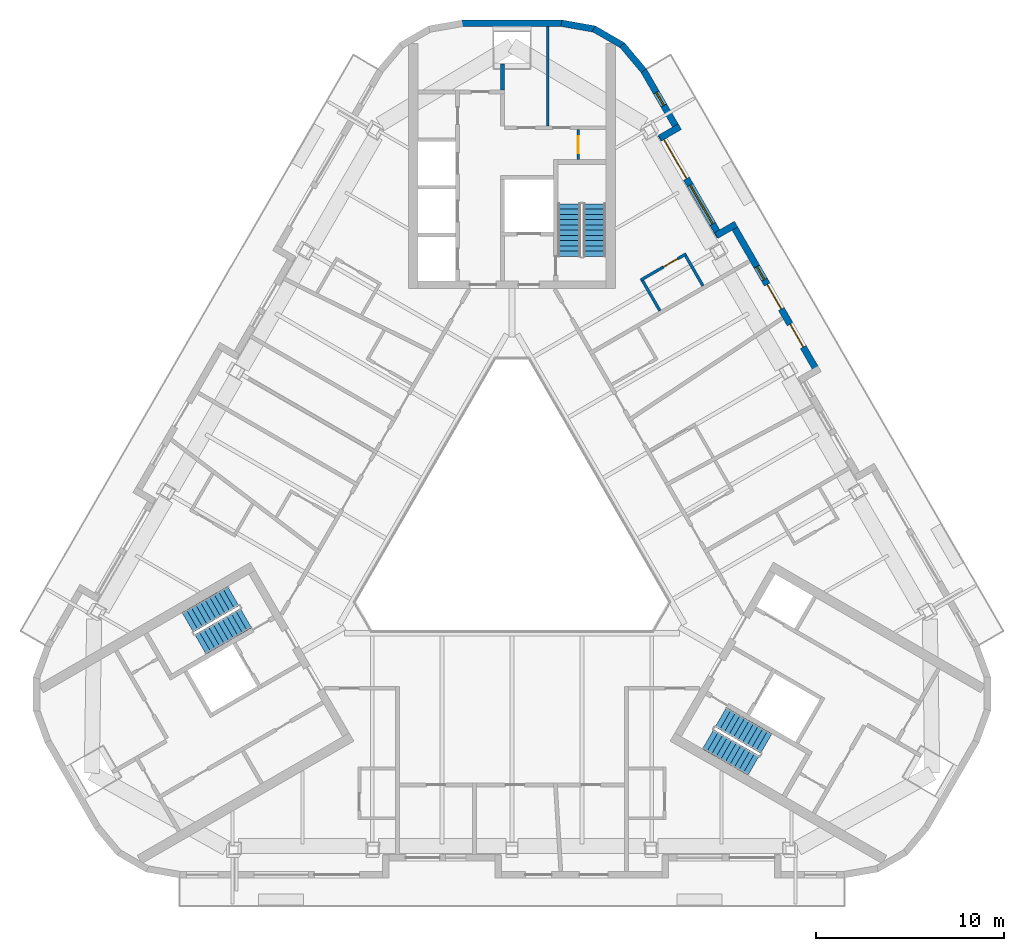
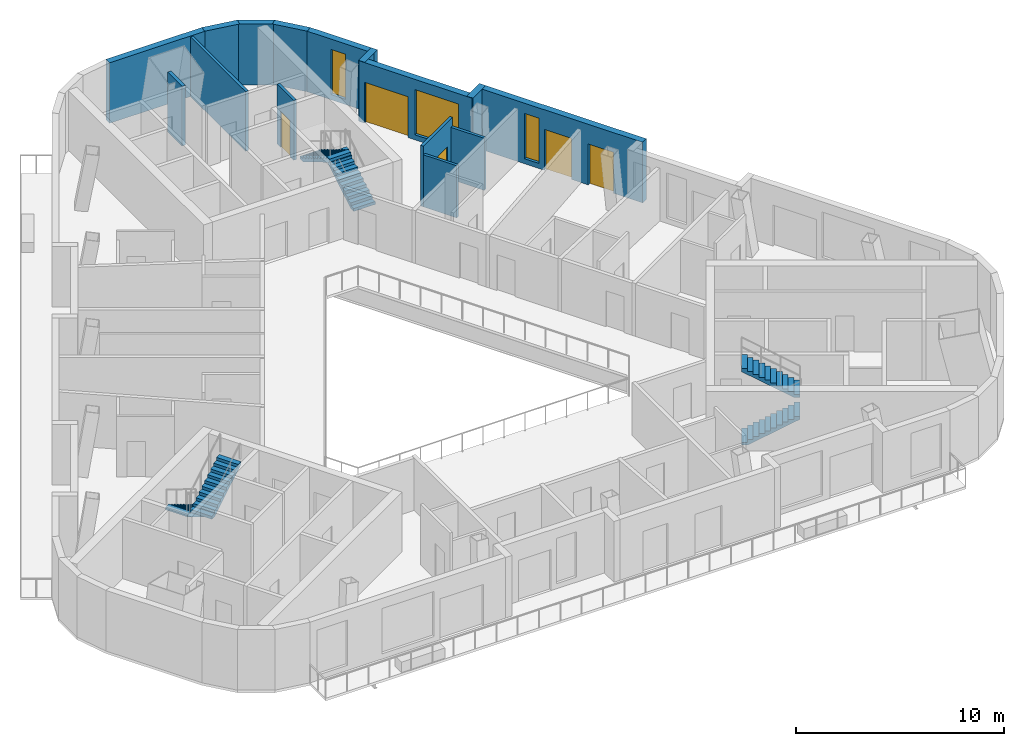
# One storey, part 8 of 13: 15 walls, 6 stair flights, 5 doors, 3 windows, 8 openings, 3 elements without a shape of their own.
"""IFC4 building model written with IfcOpenShell, lengths in metres."""

from ifc_helpers import new_model, si_unit, direction, frame, frame_2d, origin, place, context, subcontext, project, spatial, polyline, rectangle, outline, extrude, material, layer, layer_set, type_object, element, fill, aggregate, save


model = new_model("IFC4")

# Units and contexts
model_context = context("Model", 3, precision=1e-05, world=origin(), true_north=direction((0.0, 1.0)))
body_context = subcontext(model_context, "Body", "Model", "MODEL_VIEW")
ifc_project = project(units=[si_unit("LENGTHUNIT", "METRE"), si_unit("AREAUNIT", "SQUARE_METRE"), si_unit("VOLUMEUNIT", "CUBIC_METRE"), si_unit("PLANEANGLEUNIT", "RADIAN"), si_unit("MASSUNIT", "GRAM", prefix="KILO")], contexts=[model_context])

# Site, building, storey
site_placement = place(None, origin())
site = spatial("IfcSite", under=ifc_project, at=site_placement, CompositionType="ELEMENT")
building_placement = place(site_placement, origin())
building = spatial("IfcBuilding", under=site, at=building_placement, Name="Apuvela Tower Hotel", CompositionType="ELEMENT")
storey_placement = place(building_placement, frame((0.0, 0.0, 276.300048828125)))
storey = spatial("IfcBuildingStorey", under=building, at=storey_placement, Name="L68", CompositionType="ELEMENT", Elevation=276.300048828125)

# Wall, opening, door
ifc_material_1 = material(Name="Blockwork 150 mm plastered", Category="masonry")
ifc_layer_1 = layer(ifc_material_1, 0.14990234375)
ifc_layer_set_1 = layer_set([ifc_layer_1], Name="COR-WALL-PART-150")
wall_type_1 = type_object("IfcWallType", Name="COR-WALL-PART-150", PredefinedType="PARTITIONING", material=ifc_layer_set_1)
wall_1_placement = place(storey_placement, frame((3.52490234375, 19.75, 0.0), z_axis=(0.0, 0.0, 1.0), x_axis=(0.0, 1.0, 0.0)))
wall_1 = element("IfcWall", 1, at=wall_1_placement, inside=storey, type_object=wall_type_1, Name="Partition N", PredefinedType="PARTITIONING", context=body_context, shape_type="SweptSolid", body=[
    extrude(rectangle(XDim=1.60009765625, YDim=0.14990234375, at=frame_2d((0.800048828125, 0.0))), origin(), (0.0, 0.0, 1.0), 3.5),
])
opening_1_placement = place(wall_1_placement, frame((0.35009765625, 0.0, 0.0)))
opening_1 = element("IfcOpeningElement", 2, at=opening_1_placement, cuts=wall_1, Name="Opening N-RD", PredefinedType="OPENING", context=body_context, shape_type="SweptSolid", body=[
    extrude(rectangle(XDim=0.89990234375, YDim=2.10009765625, at=frame_2d((0.449951171875, 1.050048828125))), frame((0.0, 0.0849609375, 0.0), z_axis=(0.0, -1.0, 0.0), x_axis=(1.0, 0.0, 0.0)), (0.0, 0.0, 1.0), 0.169921875),
])
ifc_material_2 = material(Name="Steel access door, powder coated", Category="steel")
door_type_1 = type_object("IfcDoorType", Name="COR-RD-900", OperationType="NOTDEFINED", PredefinedType="DOOR", material=ifc_material_2)
door_1_placement = place(opening_1_placement, frame((0.89990234375, 0.0, 0.0), z_axis=(0.0, 0.0, 1.0), x_axis=(-1.0, 0.0, 0.0)))
door_1 = element("IfcDoor", 3, at=door_1_placement, inside=storey, type_object=door_type_1, Name="Riser door N-RD", OperationType="SINGLE_SWING_RIGHT", OverallHeight=2.10009765625, OverallWidth=0.89990234375, PredefinedType="DOOR", context=body_context, shape_type="SweptSolid", body=[
    extrude(rectangle(XDim=0.89990234375, YDim=2.10009765625, at=frame_2d((0.449951171875, 1.050048828125))), frame((0.0, 0.02490234375, 0.0), z_axis=(0.0, -1.0, 0.0), x_axis=(1.0, 0.0, 0.0)), (0.0, 0.0, 1.0), 0.050048828125),
])
fill(opening_1, door_1)

# Walls
wall_2_placement = place(storey_placement, frame((1.89990234375, 21.550048828125, 0.0), z_axis=(0.0, 0.0, 1.0), x_axis=(0.0, 1.0, 0.0)))
element("IfcWall", 4, at=wall_2_placement, inside=storey, type_object=wall_type_1, Name="Partition N", PredefinedType="PARTITIONING", context=body_context, shape_type="SweptSolid", body=[
    extrude(rectangle(XDim=5.29248046875, YDim=0.14990234375, at=frame_2d((2.646240234375, 0.0))), origin(), (0.0, 0.0, 1.0), 3.5),
])
ifc_material_3 = material(Name="Concrete C50/60", Category="concrete")
ifc_layer_2 = layer(ifc_material_3, 0.199951171875)
ifc_layer_set_2 = layer_set([ifc_layer_2], Name="COR-WALL-SHAFT-200")
wall_type_2 = type_object("IfcWallType", Name="COR-WALL-SHAFT-200", PredefinedType="SHEAR", material=ifc_layer_set_2)
wall_3_placement = place(storey_placement, frame((-0.5, 23.4599609375, 0.0), z_axis=(0.0, 0.0, 1.0), x_axis=(0.0, 1.0, 0.0)))
element("IfcWall", 5, at=wall_3_placement, inside=storey, type_object=wall_type_2, Name="Shaft wall N", PredefinedType="SHEAR", context=body_context, shape_type="SweptSolid", body=[
    extrude(rectangle(XDim=1.382568359375, YDim=0.199951171875, at=frame_2d((0.69140625, 0.0))), origin(), (0.0, 0.0, 1.0), 3.5),
])

# Wall, openings, doors, window
ifc_material_4 = material(Name="Concrete C40/50, dark pigmented precast panel", Category="concrete")
ifc_layer_3 = layer(ifc_material_4, 0.35009765625)
ifc_layer_set_3 = layer_set([ifc_layer_3], Name="ENV-WALL-350")
wall_type_3 = type_object("IfcWallType", Name="ENV-WALL-350", PredefinedType="SOLIDWALL", material=ifc_layer_set_3)
wall_4_placement = place(storey_placement, frame((16.31640625, 8.381103515625, 0.0), z_axis=(0.0, 0.0, 1.0), x_axis=(-0.500005190411, 0.866022407078, 0.0)))
wall_4 = element("IfcWall", 6, at=wall_4_placement, inside=storey, type_object=wall_type_3, Name="External wall L68-37", PredefinedType="SOLIDWALL", context=body_context, shape_type="SweptSolid", body=[
    extrude(rectangle(XDim=9.24365234375, YDim=0.35009765625, at=frame_2d((4.621826171875, 0.0))), origin(), (0.0, 0.0, 1.0), 3.550048828125),
])
opening_2_placement = place(wall_4_placement, frame((1.6142578125, 0.0, 0.0)))
opening_2 = element("IfcOpeningElement", 7, at=opening_2_placement, cuts=wall_4, Name="Opening BD14", PredefinedType="OPENING", context=body_context, shape_type="SweptSolid", body=[
    extrude(rectangle(XDim=1.39990234375, YDim=2.39990234375, at=frame_2d((0.699951171875, 1.199951171875))), frame((0.0, 0.18505859375, 0.0), z_axis=(0.0, -1.0, 0.0), x_axis=(1.0, 0.0, 0.0)), (0.0, 0.0, 1.0), 0.3701171875),
])
opening_3_placement = place(wall_4_placement, frame((3.9501953125, 0.0, 0.0)))
opening_3 = element("IfcOpeningElement", 8, at=opening_3_placement, cuts=wall_4, Name="Opening BD15", PredefinedType="OPENING", context=body_context, shape_type="SweptSolid", body=[
    extrude(rectangle(XDim=1.5, YDim=2.39990234375, at=frame_2d((0.75, 1.199951171875))), frame((0.0, 0.18505859375, 0.0), z_axis=(0.0, -1.0, 0.0), x_axis=(1.0, 0.0, 0.0)), (0.0, 0.0, 1.0), 0.3701171875),
])
opening_4_placement = place(wall_4_placement, frame((5.75, 0.0, 0.300048828125)))
opening_4 = element("IfcOpeningElement", 9, at=opening_4_placement, cuts=wall_4, Name="Opening WN08", PredefinedType="OPENING", context=body_context, shape_type="SweptSolid", body=[
    extrude(rectangle(XDim=0.800048828125, YDim=2.64990234375, at=frame_2d((0.39990234375, 1.324951171875))), frame((0.0, 0.18505859375, 0.0), z_axis=(0.0, -1.0, 0.0), x_axis=(1.0, 0.0, 0.0)), (0.0, 0.0, 1.0), 0.3701171875),
])
ifc_material_5 = material(Name="Aluminium 6063-T6, dark bronze anodised frame with dark tinted laminated glass", Category="aluminium")
door_type_2 = type_object("IfcDoorType", Name="ENV-DOOR-BALCONY-1400x2400", OperationType="SLIDING_TO_LEFT", PredefinedType="DOOR", material=ifc_material_5)
door_2_placement = place(opening_2_placement, frame((1.39990234375, 0.0, 0.0), z_axis=(0.0, 0.0, 1.0), x_axis=(-1.0, 0.0, 0.0)))
door_2 = element("IfcDoor", 10, at=door_2_placement, inside=storey, type_object=door_type_2, Name="Balcony door BD14", OperationType="SLIDING_TO_LEFT", OverallHeight=2.39990234375, OverallWidth=1.39990234375, PredefinedType="DOOR", context=body_context, shape_type="SweptSolid", body=[
    extrude(rectangle(XDim=1.39990234375, YDim=2.39990234375, at=frame_2d((0.699951171875, 1.199951171875))), frame((0.0, 0.02490234375, 0.0), z_axis=(0.0, -1.0, 0.0), x_axis=(1.0, 0.0, 0.0)), (0.0, 0.0, 1.0), 0.050048828125),
])
fill(opening_2, door_2)
door_type_3 = type_object("IfcDoorType", Name="ENV-DOOR-BALCONY-1500x2400", OperationType="SLIDING_TO_LEFT", PredefinedType="DOOR", material=ifc_material_5)
door_3_placement = place(opening_3_placement, frame((1.5, 0.0, 0.0), z_axis=(0.0, 0.0, 1.0), x_axis=(-1.0, 0.0, 0.0)))
door_3 = element("IfcDoor", 11, at=door_3_placement, inside=storey, type_object=door_type_3, Name="Balcony door BD15", OperationType="SLIDING_TO_LEFT", OverallHeight=2.39990234375, OverallWidth=1.5, PredefinedType="DOOR", context=body_context, shape_type="SweptSolid", body=[
    extrude(rectangle(XDim=1.5, YDim=2.39990234375, at=frame_2d((0.75, 1.199951171875))), frame((0.0, 0.02490234375, 0.0), z_axis=(0.0, -1.0, 0.0), x_axis=(1.0, 0.0, 0.0)), (0.0, 0.0, 1.0), 0.050048828125),
])
fill(opening_3, door_3)
ifc_material_6 = material(Name="Glass, dark tinted laminated insulated glazing unit", Category="glass")
window_type_1 = type_object("IfcWindowType", Name="ENV-WIN-800x2650", PartitioningType="SINGLE_PANEL", PredefinedType="WINDOW", material=ifc_material_6)
window_1_placement = place(opening_4_placement, origin())
window_1 = element("IfcWindow", 12, at=window_1_placement, inside=storey, type_object=window_type_1, Name="Window WN08", OverallHeight=2.64990234375, OverallWidth=0.800048828125, PartitioningType="SINGLE_PANEL", PredefinedType="WINDOW", context=body_context, shape_type="SweptSolid", body=[
    extrude(rectangle(XDim=0.800048828125, YDim=2.64990234375, at=frame_2d((0.39990234375, 1.324951171875))), frame((0.0, 0.030029296875, 0.0), z_axis=(0.0, -1.0, 0.0), x_axis=(1.0, 0.0, 0.0)), (0.0, 0.0, 1.0), 0.06005859375),
])
fill(opening_4, window_1)

# Wall
wall_5_placement = place(storey_placement, frame((11.93359375, 16.322265625, 0.0), z_axis=(0.0, 0.0, 1.0), x_axis=(-0.866005645448, -0.500034220881, 0.0)))
element("IfcWall", 13, at=wall_5_placement, inside=storey, type_object=wall_type_3, Name="External wall L68-38", PredefinedType="SOLIDWALL", context=body_context, shape_type="SweptSolid", body=[
    extrude(rectangle(XDim=1.22021484375, YDim=0.35009765625, at=frame_2d((0.610107421875, 0.0))), origin(), (0.0, 0.0, 1.0), 3.550048828125),
])

# Wall, openings, door, window
wall_6_placement = place(storey_placement, frame((11.074951171875, 15.6591796875, 0.0), z_axis=(0.0, 0.0, 1.0), x_axis=(-0.499983676521, 0.866034827944, 0.0)))
wall_6 = element("IfcWall", 14, at=wall_6_placement, inside=storey, type_object=wall_type_3, Name="External wall L68-39", PredefinedType="SOLIDWALL", context=body_context, shape_type="SweptSolid", body=[
    extrude(rectangle(XDim=6.283447265625, YDim=0.35009765625, at=frame_2d((3.1416015625, 0.0))), origin(), (0.0, 0.0, 1.0), 3.550048828125),
])
opening_5_placement = place(wall_6_placement, frame((3.5634765625, 0.0, 0.0)))
opening_5 = element("IfcOpeningElement", 15, at=opening_5_placement, cuts=wall_6, Name="Opening BD24", PredefinedType="OPENING", context=body_context, shape_type="SweptSolid", body=[
    extrude(rectangle(XDim=2.39990234375, YDim=2.39990234375, at=frame_2d((1.199951171875, 1.199951171875))), frame((0.0, 0.18505859375, 0.0), z_axis=(0.0, -1.0, 0.0), x_axis=(1.0, 0.0, 0.0)), (0.0, 0.0, 1.0), 0.3701171875),
])
opening_6_placement = place(wall_6_placement, frame((0.77001953125, 0.0, 0.300048828125)))
opening_6 = element("IfcOpeningElement", 16, at=opening_6_placement, cuts=wall_6, Name="Opening WN24", PredefinedType="OPENING", context=body_context, shape_type="SweptSolid", body=[
    extrude(rectangle(XDim=2.39990234375, YDim=2.64990234375, at=frame_2d((1.199951171875, 1.324951171875))), frame((0.0, 0.18505859375, 0.0), z_axis=(0.0, -1.0, 0.0), x_axis=(1.0, 0.0, 0.0)), (0.0, 0.0, 1.0), 0.3701171875),
])
door_type_4 = type_object("IfcDoorType", Name="ENV-DOOR-BALCONY-2400x2400", OperationType="SLIDING_TO_LEFT", PredefinedType="DOOR", material=ifc_material_5)
door_4_placement = place(opening_5_placement, frame((2.39990234375, 0.0, 0.0), z_axis=(0.0, 0.0, 1.0), x_axis=(-1.0, 0.0, 0.0)))
door_4 = element("IfcDoor", 17, at=door_4_placement, inside=storey, type_object=door_type_4, Name="Balcony door BD24", OperationType="SLIDING_TO_LEFT", OverallHeight=2.39990234375, OverallWidth=2.39990234375, PredefinedType="DOOR", context=body_context, shape_type="SweptSolid", body=[
    extrude(rectangle(XDim=2.39990234375, YDim=2.39990234375, at=frame_2d((1.199951171875, 1.199951171875))), frame((0.0, 0.02490234375, 0.0), z_axis=(0.0, -1.0, 0.0), x_axis=(1.0, 0.0, 0.0)), (0.0, 0.0, 1.0), 0.050048828125),
])
fill(opening_5, door_4)
window_type_2 = type_object("IfcWindowType", Name="ENV-WIN-2400x2650", PartitioningType="SINGLE_PANEL", PredefinedType="WINDOW", material=ifc_material_6)
window_2_placement = place(opening_6_placement, origin())
window_2 = element("IfcWindow", 18, at=window_2_placement, inside=storey, type_object=window_type_2, Name="Window WN24", OverallHeight=2.64990234375, OverallWidth=2.39990234375, PartitioningType="SINGLE_PANEL", PredefinedType="WINDOW", context=body_context, shape_type="SweptSolid", body=[
    extrude(rectangle(XDim=2.39990234375, YDim=2.64990234375, at=frame_2d((1.199951171875, 1.324951171875))), frame((0.0, 0.030029296875, 0.0), z_axis=(0.0, -1.0, 0.0), x_axis=(1.0, 0.0, 0.0)), (0.0, 0.0, 1.0), 0.06005859375),
])
fill(opening_6, window_2)

# Wall
wall_7_placement = place(storey_placement, frame((7.880126953125, 20.902587890625, 0.0), z_axis=(0.0, 0.0, 1.0), x_axis=(0.866005645448, 0.500034220881, 0.0)))
element("IfcWall", 19, at=wall_7_placement, inside=storey, type_object=wall_type_3, Name="External wall L68-40", PredefinedType="SOLIDWALL", context=body_context, shape_type="SweptSolid", body=[
    extrude(rectangle(XDim=1.22021484375, YDim=0.35009765625, at=frame_2d((0.610107421875, 0.0))), origin(), (0.0, 0.0, 1.0), 3.550048828125),
])

# Wall, opening, window
wall_8_placement = place(storey_placement, frame((8.872802734375, 21.273681640625, 0.0), z_axis=(0.0, 0.0, 1.0), x_axis=(-0.50001992892, 0.866013897511, 0.0)))
wall_8 = element("IfcWall", 20, at=wall_8_placement, inside=storey, type_object=wall_type_3, Name="External wall L68-41", PredefinedType="SOLIDWALL", context=body_context, shape_type="SweptSolid", body=[
    extrude(rectangle(XDim=3.741455078125, YDim=0.35009765625, at=frame_2d((1.87060546875, 0.0))), origin(), (0.0, 0.0, 1.0), 3.550048828125),
])
opening_7_placement = place(wall_8_placement, frame((1.580810546875, 0.0, 0.300048828125)))
opening_7 = element("IfcOpeningElement", 21, at=opening_7_placement, cuts=wall_8, Name="Opening WN08", PredefinedType="OPENING", context=body_context, shape_type="SweptSolid", body=[
    extrude(rectangle(XDim=0.800048828125, YDim=2.64990234375, at=frame_2d((0.39990234375, 1.324951171875))), frame((0.0, 0.18505859375, 0.0), z_axis=(0.0, -1.0, 0.0), x_axis=(1.0, 0.0, 0.0)), (0.0, 0.0, 1.0), 0.3701171875),
])
window_3_placement = place(opening_7_placement, origin())
window_3 = element("IfcWindow", 22, at=window_3_placement, inside=storey, type_object=window_type_1, Name="Window WN08", OverallHeight=2.64990234375, OverallWidth=0.800048828125, PartitioningType="SINGLE_PANEL", PredefinedType="WINDOW", context=body_context, shape_type="SweptSolid", body=[
    extrude(rectangle(XDim=0.800048828125, YDim=2.64990234375, at=frame_2d((0.39990234375, 1.324951171875))), frame((0.0, 0.030029296875, 0.0), z_axis=(0.0, -1.0, 0.0), x_axis=(1.0, 0.0, 0.0)), (0.0, 0.0, 1.0), 0.06005859375),
])
fill(opening_7, window_3)

# Walls
wall_9_placement = place(storey_placement, frame((7.019287109375, 24.489013671875, 0.0), z_axis=(0.0, 0.0, 1.0), x_axis=(-0.642756114672, 0.766070869471, 0.0)))
element("IfcWall", 23, at=wall_9_placement, inside=storey, type_object=wall_type_3, Name="External wall L68-42", PredefinedType="SOLIDWALL", context=body_context, shape_type="SweptSolid", body=[
    extrude(rectangle(XDim=1.799560546875, YDim=0.35009765625, at=frame_2d((0.89990234375, 0.0))), origin(), (0.0, 0.0, 1.0), 3.550048828125),
])
for number, where, z_axis, x_axis, name in (
    (24, (5.9091796875, 25.82861328125, 0.0), (0.0, 0.0, 1.0), (-0.866013897511, 0.50001992892, 0.0), "External wall L68-43"),
    (25, (4.40771484375, 26.70751953125, 0.0), (0.0, 0.0, 1.0), (-0.984787655226, 0.173762119331, 0.0), "External wall L68-44"),
):
    element("IfcWall", number, at=place(storey_placement, frame(where, z_axis=z_axis, x_axis=x_axis)), inside=storey, type_object=wall_type_3, Name=name, PredefinedType="SOLIDWALL", context=body_context, shape_type="SweptSolid", body=[
        extrude(rectangle(XDim=1.7998046875, YDim=0.35009765625, at=frame_2d((0.89990234375, 0.0))), origin(), (0.0, 0.0, 1.0), 3.550048828125),
    ])
wall_10_placement = place(storey_placement, frame((2.66552734375, 27.017578125, 0.0), z_axis=(0.0, 0.0, 1.0), x_axis=(-1.0, 0.0, 0.0)))
element("IfcWall", 26, at=wall_10_placement, inside=storey, type_object=wall_type_3, Name="External wall L68-45", PredefinedType="SOLIDWALL", context=body_context, shape_type="SweptSolid", body=[
    extrude(rectangle(XDim=5.3310546875, YDim=0.35009765625, at=frame_2d((2.66552734375, 0.0))), origin(), (0.0, 0.0, 1.0), 3.550048828125),
])

# Wall, opening, door
ifc_material_7 = material(Name="Moisture-resistant gypsum board wet wall on steel stud", Category="steel")
ifc_layer_4 = layer(ifc_material_7, 0.14990234375)
ifc_layer_set_4 = layer_set([ifc_layer_4], Name="GST-PW3")
wall_type_4 = type_object("IfcWallType", Name="GST-PW3", PredefinedType="PARTITIONING", material=ifc_layer_set_4)
wall_11_placement = place(storey_placement, frame((9.2744140625, 14.736572265625, 0.0), z_axis=(0.0, 0.0, 1.0), x_axis=(-0.866018616679, -0.500011755427, 0.0)))
wall_11 = element("IfcWall", 27, at=wall_11_placement, inside=storey, type_object=wall_type_4, Name="L68 partition 38", PredefinedType="PARTITIONING", context=body_context, shape_type="SweptSolid", body=[
    extrude(rectangle(XDim=2.80029296875, YDim=0.14990234375, at=frame_2d((1.400146484375, 0.0))), origin(), (0.0, 0.0, 1.0), 3.550048828125),
])
opening_8_placement = place(wall_11_placement, frame((0.5, 0.0, 0.0)))
opening_8 = element("IfcOpeningElement", 28, at=opening_8_placement, cuts=wall_11, Name="Opening GD27-16", PredefinedType="OPENING", context=body_context, shape_type="SweptSolid", body=[
    extrude(rectangle(XDim=0.89990234375, YDim=2.10009765625, at=frame_2d((0.449951171875, 1.050048828125))), frame((0.0, 0.0849609375, 0.0), z_axis=(0.0, -1.0, 0.0), x_axis=(1.0, 0.0, 0.0)), (0.0, 0.0, 1.0), 0.169921875),
])
ifc_material_8 = material(Name="Timber door leaf in steel frame", Category="steel")
door_type_5 = type_object("IfcDoorType", Name="GST-D2", OperationType="NOTDEFINED", PredefinedType="DOOR", material=ifc_material_8)
door_5_placement = place(opening_8_placement, origin())
door_5 = element("IfcDoor", 29, at=door_5_placement, inside=storey, type_object=door_type_5, Name="Door L68-16", OperationType="SINGLE_SWING_LEFT", OverallHeight=2.10009765625, OverallWidth=0.89990234375, PredefinedType="DOOR", context=body_context, shape_type="SweptSolid", body=[
    extrude(rectangle(XDim=0.89990234375, YDim=2.10009765625, at=frame_2d((0.449951171875, 1.050048828125))), frame((0.0, 0.02490234375, 0.0), z_axis=(0.0, -1.0, 0.0), x_axis=(1.0, 0.0, 0.0)), (0.0, 0.0, 1.0), 0.050048828125),
])
fill(opening_8, door_5)

# Walls
wall_12_placement = place(storey_placement, frame((10.171875, 13.031982421875, 0.0), z_axis=(0.0, 0.0, 1.0), x_axis=(-0.500042316284, 0.866000971088, 0.0)))
element("IfcWall", 30, at=wall_12_placement, inside=storey, type_object=wall_type_4, Name="L68 partition 39", PredefinedType="PARTITIONING", context=body_context, shape_type="SweptSolid", body=[
    extrude(rectangle(XDim=1.849853515625, YDim=0.14990234375, at=frame_2d((0.9248046875, 0.0))), origin(), (0.0, 0.0, 1.0), 3.050048828125),
])
wall_13_placement = place(storey_placement, frame((7.876953125, 11.706787109375, 0.0), z_axis=(0.0, 0.0, 1.0), x_axis=(-0.499985172903, 0.866033964044, 0.0)))
element("IfcWall", 31, at=wall_13_placement, inside=storey, type_object=wall_type_4, Name="L68 partition 40", PredefinedType="PARTITIONING", context=body_context, shape_type="SweptSolid", body=[
    extrude(rectangle(XDim=1.85009765625, YDim=0.14990234375, at=frame_2d((0.925048828125, 0.0))), origin(), (0.0, 0.0, 1.0), 3.050048828125),
])

# Stair, stair flights
stair_type = type_object("IfcStairType", Name="COR-STAIR-22R", PredefinedType="HALF_TURN_STAIR", material=ifc_material_3)
stair_1_placement = place(storey_placement, origin())
stair_1 = element("IfcStair", 32, at=stair_1_placement, inside=storey, type_object=stair_type, Name="L68 Exit stair ST1", PredefinedType="HALF_TURN_STAIR")
stair_flight_type = type_object("IfcStairFlightType", Name="COR-FLIGHT-11R", PredefinedType="STRAIGHT", material=ifc_material_3)
stair_flight_1_placement = place(storey_placement, frame((4.39990234375, 14.60009765625, 0.0), z_axis=(0.0, 0.0, 1.0), x_axis=(0.0, 1.0, 0.0)))
stair_flight_1 = element("IfcStairFlight", 33, at=stair_flight_1_placement, type_object=stair_flight_type, Name="ST1 flight 1", NumberOfRisers=11, NumberOfTreads=10, PredefinedType="STRAIGHT", RiserHeight=0.168181818, TreadLength=0.28, context=body_context, shape_type="SweptSolid", body=[
    extrude(outline(polyline([(0.0, 0.0), (0.0, 0.168212890625), (0.280029296875, 0.168212890625), (0.280029296875, 0.33642578125), (0.56005859375, 0.33642578125), (0.56005859375, 0.504638671875), (0.840087890625, 0.504638671875), (0.840087890625, 0.672607421875), (1.1201171875, 0.672607421875), (1.1201171875, 0.8408203125), (1.39990234375, 0.8408203125), (1.39990234375, 1.009033203125), (1.679931640625, 1.009033203125), (1.679931640625, 1.17724609375), (1.9599609375, 1.17724609375), (1.9599609375, 1.345458984375), (2.239990234375, 1.345458984375), (2.239990234375, 1.513671875), (2.52001953125, 1.513671875), (2.52001953125, 1.681884765625), (2.800048828125, 1.681884765625), (2.800048828125, 1.85009765625), (2.800048828125, 1.5068359375), (0.291015625, 0.0), (0.0, 0.0)])), frame((0.0, 0.60009765625, 0.0), z_axis=(0.0, -1.0, 0.0), x_axis=(1.0, 0.0, 0.0)), (0.0, 0.0, 1.0), 1.199951171875),
])
stair_flight_2_placement = place(storey_placement, frame((3.050048828125, 17.39990234375, 1.849853515625), z_axis=(0.0, 0.0, 1.0), x_axis=(0.0, -1.0, 0.0)))
stair_flight_2 = element("IfcStairFlight", 34, at=stair_flight_2_placement, type_object=stair_flight_type, Name="ST1 flight 2", NumberOfRisers=11, NumberOfTreads=10, PredefinedType="STRAIGHT", RiserHeight=0.168181818, TreadLength=0.28, context=body_context, shape_type="SweptSolid", body=[
    extrude(outline(polyline([(0.0, 0.0), (0.0, 0.168212890625), (0.280029296875, 0.168212890625), (0.280029296875, 0.33642578125), (0.56005859375, 0.33642578125), (0.56005859375, 0.504638671875), (0.840087890625, 0.504638671875), (0.840087890625, 0.672607421875), (1.1201171875, 0.672607421875), (1.1201171875, 0.8408203125), (1.39990234375, 0.8408203125), (1.39990234375, 1.009033203125), (1.679931640625, 1.009033203125), (1.679931640625, 1.17724609375), (1.9599609375, 1.17724609375), (1.9599609375, 1.345458984375), (2.239990234375, 1.345458984375), (2.239990234375, 1.513671875), (2.52001953125, 1.513671875), (2.52001953125, 1.681884765625), (2.800048828125, 1.681884765625), (2.800048828125, 1.85009765625), (2.800048828125, 1.5068359375), (0.291015625, 0.0), (0.0, 0.0)])), frame((0.0, 0.60009765625, 0.0), z_axis=(0.0, -1.0, 0.0), x_axis=(1.0, 0.0, 0.0)), (0.0, 0.0, 1.0), 1.199951171875),
])
aggregate(stair_1, [stair_flight_1, stair_flight_2])

stair_2_placement = place(storey_placement, origin())
stair_2 = element("IfcStair", 35, at=stair_2_placement, inside=storey, type_object=stair_type, Name="L68 Exit stair ST2", PredefinedType="HALF_TURN_STAIR")
stair_flight_3_placement = place(storey_placement, frame((-14.843994140625, -3.489501953125, 0.0), z_axis=(0.0, 0.0, 1.0), x_axis=(-0.866025403784, -0.5, 0.0)))
stair_flight_3 = element("IfcStairFlight", 36, at=stair_flight_3_placement, type_object=stair_flight_type, Name="ST2 flight 1", NumberOfRisers=11, NumberOfTreads=10, PredefinedType="STRAIGHT", RiserHeight=0.168181818, TreadLength=0.28, context=body_context, shape_type="SweptSolid", body=[
    extrude(outline(polyline([(0.0, 0.0), (0.0, 0.168212890625), (0.280029296875, 0.168212890625), (0.280029296875, 0.33642578125), (0.56005859375, 0.33642578125), (0.56005859375, 0.504638671875), (0.840087890625, 0.504638671875), (0.840087890625, 0.672607421875), (1.1201171875, 0.672607421875), (1.1201171875, 0.8408203125), (1.39990234375, 0.8408203125), (1.39990234375, 1.009033203125), (1.679931640625, 1.009033203125), (1.679931640625, 1.17724609375), (1.9599609375, 1.17724609375), (1.9599609375, 1.345458984375), (2.239990234375, 1.345458984375), (2.239990234375, 1.513671875), (2.52001953125, 1.513671875), (2.52001953125, 1.681884765625), (2.800048828125, 1.681884765625), (2.800048828125, 1.85009765625), (2.800048828125, 1.5068359375), (0.291015625, 0.0), (0.0, 0.0)])), frame((0.0, 0.60009765625, 0.0), z_axis=(0.0, -1.0, 0.0), x_axis=(1.0, 0.0, 0.0)), (0.0, 0.0, 1.0), 1.199951171875),
])
stair_flight_4_placement = place(storey_placement, frame((-16.59375, -6.05859375, 1.849853515625), z_axis=(0.0, 0.0, 1.0), x_axis=(0.866025403784, 0.5, 0.0)))
stair_flight_4 = element("IfcStairFlight", 37, at=stair_flight_4_placement, type_object=stair_flight_type, Name="ST2 flight 2", NumberOfRisers=11, NumberOfTreads=10, PredefinedType="STRAIGHT", RiserHeight=0.168181818, TreadLength=0.28, context=body_context, shape_type="SweptSolid", body=[
    extrude(outline(polyline([(0.0, 0.0), (0.0, 0.168212890625), (0.280029296875, 0.168212890625), (0.280029296875, 0.33642578125), (0.56005859375, 0.33642578125), (0.56005859375, 0.504638671875), (0.840087890625, 0.504638671875), (0.840087890625, 0.672607421875), (1.1201171875, 0.672607421875), (1.1201171875, 0.8408203125), (1.39990234375, 0.8408203125), (1.39990234375, 1.009033203125), (1.679931640625, 1.009033203125), (1.679931640625, 1.17724609375), (1.9599609375, 1.17724609375), (1.9599609375, 1.345458984375), (2.239990234375, 1.345458984375), (2.239990234375, 1.513671875), (2.52001953125, 1.513671875), (2.52001953125, 1.681884765625), (2.800048828125, 1.681884765625), (2.800048828125, 1.85009765625), (2.800048828125, 1.5068359375), (0.291015625, 0.0), (0.0, 0.0)])), frame((0.0, 0.60009765625, 0.0), z_axis=(0.0, -1.0, 0.0), x_axis=(1.0, 0.0, 0.0)), (0.0, 0.0, 1.0), 1.199951171875),
])
aggregate(stair_2, [stair_flight_3, stair_flight_4])

stair_3_placement = place(storey_placement, origin())
stair_3 = element("IfcStair", 38, at=stair_3_placement, inside=storey, type_object=stair_type, Name="L68 Exit stair ST3", PredefinedType="HALF_TURN_STAIR")
stair_flight_5_placement = place(storey_placement, frame((10.444091796875, -11.110595703125, 0.0), z_axis=(0.0, 0.0, 1.0), x_axis=(0.866025403784, -0.5, 0.0)))
stair_flight_5 = element("IfcStairFlight", 39, at=stair_flight_5_placement, type_object=stair_flight_type, Name="ST3 flight 1", NumberOfRisers=11, NumberOfTreads=10, PredefinedType="STRAIGHT", RiserHeight=0.168181818, TreadLength=0.28, context=body_context, shape_type="SweptSolid", body=[
    extrude(outline(polyline([(0.0, 0.0), (0.0, 0.168212890625), (0.280029296875, 0.168212890625), (0.280029296875, 0.33642578125), (0.56005859375, 0.33642578125), (0.56005859375, 0.504638671875), (0.840087890625, 0.504638671875), (0.840087890625, 0.672607421875), (1.1201171875, 0.672607421875), (1.1201171875, 0.8408203125), (1.39990234375, 0.8408203125), (1.39990234375, 1.009033203125), (1.679931640625, 1.009033203125), (1.679931640625, 1.17724609375), (1.9599609375, 1.17724609375), (1.9599609375, 1.345458984375), (2.239990234375, 1.345458984375), (2.239990234375, 1.513671875), (2.52001953125, 1.513671875), (2.52001953125, 1.681884765625), (2.800048828125, 1.681884765625), (2.800048828125, 1.85009765625), (2.800048828125, 1.5068359375), (0.291015625, 0.0), (0.0, 0.0)])), frame((0.0, 0.60009765625, 0.0), z_axis=(0.0, -1.0, 0.0), x_axis=(1.0, 0.0, 0.0)), (0.0, 0.0, 1.0), 1.199951171875),
])
stair_flight_6_placement = place(storey_placement, frame((13.5439453125, -11.34130859375, 1.849853515625), z_axis=(0.0, 0.0, 1.0), x_axis=(-0.866025403784, 0.5, 0.0)))
stair_flight_6 = element("IfcStairFlight", 40, at=stair_flight_6_placement, type_object=stair_flight_type, Name="ST3 flight 2", NumberOfRisers=11, NumberOfTreads=10, PredefinedType="STRAIGHT", RiserHeight=0.168181818, TreadLength=0.28, context=body_context, shape_type="SweptSolid", body=[
    extrude(outline(polyline([(0.0, 0.0), (0.0, 0.168212890625), (0.280029296875, 0.168212890625), (0.280029296875, 0.33642578125), (0.56005859375, 0.33642578125), (0.56005859375, 0.504638671875), (0.840087890625, 0.504638671875), (0.840087890625, 0.672607421875), (1.1201171875, 0.672607421875), (1.1201171875, 0.8408203125), (1.39990234375, 0.8408203125), (1.39990234375, 1.009033203125), (1.679931640625, 1.009033203125), (1.679931640625, 1.17724609375), (1.9599609375, 1.17724609375), (1.9599609375, 1.345458984375), (2.239990234375, 1.345458984375), (2.239990234375, 1.513671875), (2.52001953125, 1.513671875), (2.52001953125, 1.681884765625), (2.800048828125, 1.681884765625), (2.800048828125, 1.85009765625), (2.800048828125, 1.5068359375), (0.291015625, 0.0), (0.0, 0.0)])), frame((0.0, 0.60009765625, 0.0), z_axis=(0.0, -1.0, 0.0), x_axis=(1.0, 0.0, 0.0)), (0.0, 0.0, 1.0), 1.199951171875),
])
aggregate(stair_3, [stair_flight_5, stair_flight_6])

save(model, "model.ifc")
